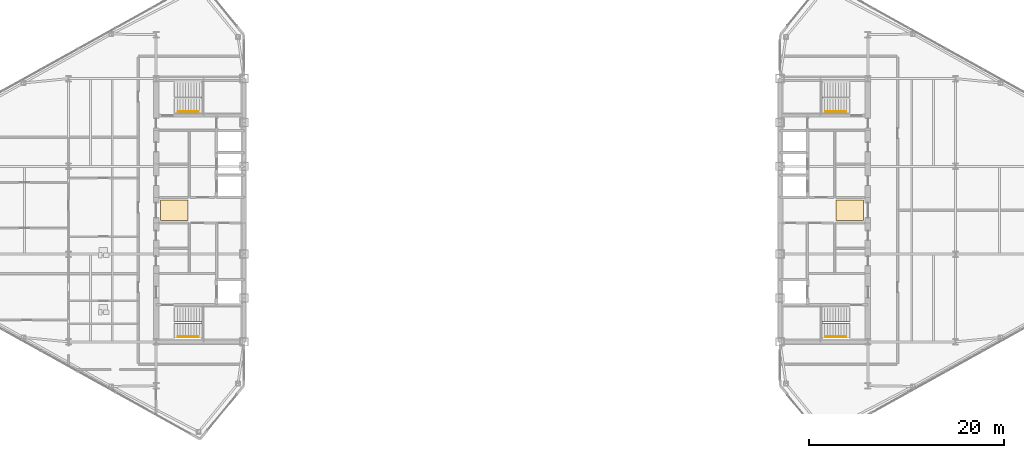
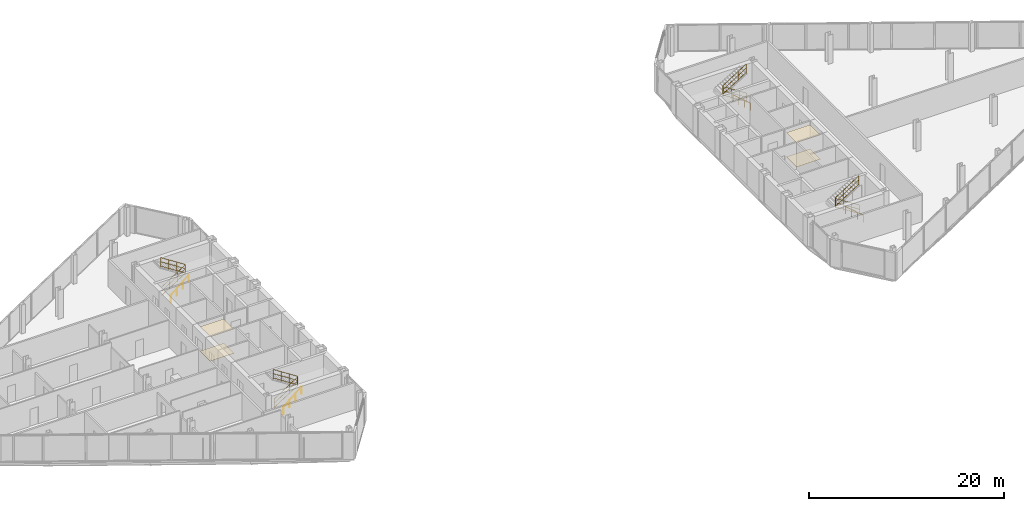
# One storey, part 25 of 26: 8 railings, 4 coverings.
"""IFC4 building model written with IfcOpenShell, lengths in metres."""

from ifc_helpers import new_model, si_unit, direction, frame, origin, origin_2d, place, context, subcontext, project, spatial, polyline, circle, outline, extrude, material, layer, layer_set, type_object, element, save


model = new_model("IFC4")

# Units and contexts
model_context = context("Model", 3, precision=1e-05, world=origin(), true_north=direction((0.0, 1.0)))
body_context = subcontext(model_context, "Body", "Model", "MODEL_VIEW")
ifc_project = project(units=[si_unit("LENGTHUNIT", "METRE"), si_unit("AREAUNIT", "SQUARE_METRE"), si_unit("VOLUMEUNIT", "CUBIC_METRE"), si_unit("PLANEANGLEUNIT", "RADIAN"), si_unit("MASSUNIT", "GRAM", prefix="KILO")], contexts=[model_context])

# Site, building, storey
site_placement = place(None, origin())
site = spatial("IfcSite", under=ifc_project, at=site_placement, CompositionType="ELEMENT")
building_placement = place(site_placement, origin())
building = spatial("IfcBuilding", under=site, at=building_placement, Name="Seokmaru Belvedere", CompositionType="ELEMENT")
storey_placement = place(building_placement, frame((0.0, 0.0, 177.89990234375)))
storey = spatial("IfcBuildingStorey", under=building, at=storey_placement, Name="L47", CompositionType="ELEMENT", Elevation=177.89990234375)

# Coverings
ifc_material_1 = material(Name="Engineered White Oak Timber", Category="wood")
ifc_layer_1 = layer(ifc_material_1, 0.02197265625)
ifc_layer_set_1 = layer_set([ifc_layer_1], Name="Engineered White Oak Timber")
covering_type_1 = type_object("IfcCoveringType", Name="Engineered Oak Residence Floor Finish 22", PredefinedType="FLOORING", material=ifc_layer_set_1)
covering_1_placement = place(storey_placement, origin())
element("IfcCovering", 1, at=covering_1_placement, inside=storey, type_object=covering_type_1, Name="L47 W Foyer Floor Finish", PredefinedType="FLOORING", context=body_context, shape_type="SweptSolid", body=[
    extrude(outline(polyline([(-36.050048828125, -1.050048828125), (-33.25, -1.050048828125), (-33.25, 1.050048828125), (-36.050048828125, 1.050048828125), (-36.050048828125, -1.050048828125)])), origin(), (0.0, 0.0, 1.0), 0.022216796875),
])
covering_2_placement = place(storey_placement, origin())
element("IfcCovering", 2, at=covering_2_placement, inside=storey, type_object=covering_type_1, Name="L47 E Foyer Floor Finish", PredefinedType="FLOORING", context=body_context, shape_type="SweptSolid", body=[
    extrude(outline(polyline([(33.25, -1.050048828125), (36.050048828125, -1.050048828125), (36.050048828125, 1.050048828125), (33.25, 1.050048828125), (33.25, -1.050048828125)])), origin(), (0.0, 0.0, 1.0), 0.022216796875),
])
ifc_material_2 = material(Name="Fire-Rated Gypsum Shaftwall")
ifc_layer_2 = layer(ifc_material_2, 0.02490234375)
ifc_layer_set_2 = layer_set([ifc_layer_2], Name="Fire-Rated Gypsum Shaftwall")
covering_type_2 = type_object("IfcCoveringType", Name="Perforated Acoustic Gypsum Suspended Ceiling 25", PredefinedType="CEILING", material=ifc_layer_set_2)
covering_3_placement = place(storey_placement, frame((0.0, 0.0, 3.030029296875)))
element("IfcCovering", 3, at=covering_3_placement, inside=storey, type_object=covering_type_2, Name="L47 W Lift Foyer Acoustic Ceiling", PredefinedType="CEILING", context=body_context, shape_type="SweptSolid", body=[
    extrude(outline(polyline([(-36.050048828125, -1.050048828125), (-33.25, -1.050048828125), (-33.25, 1.050048828125), (-36.050048828125, 1.050048828125), (-36.050048828125, -1.050048828125)])), origin(), (0.0, 0.0, 1.0), 0.025146484375),
])
covering_4_placement = place(storey_placement, frame((0.0, 0.0, 3.030029296875)))
element("IfcCovering", 4, at=covering_4_placement, inside=storey, type_object=covering_type_2, Name="L47 E Lift Foyer Acoustic Ceiling", PredefinedType="CEILING", context=body_context, shape_type="SweptSolid", body=[
    extrude(outline(polyline([(33.25, -1.050048828125), (36.050048828125, -1.050048828125), (36.050048828125, 1.050048828125), (33.25, 1.050048828125), (33.25, -1.050048828125)])), origin(), (0.0, 0.0, 1.0), 0.025146484375),
])

# Railings
ifc_material_3 = material(Name="Stainless Steel 316", Category="steel")
railing_type_1 = type_object("IfcRailingType", Name="Stainless Steel Wall and Flight Handrail 900", PredefinedType="HANDRAIL", material=ifc_material_3)
for number, where, name in (
    (5, (-34.25, -12.949951171875, 0.0), "L47 Stair ST-W1 Wall Handrail"),
    (6, (-34.25, 10.110107421875, 0.0), "L47 Stair ST-W2 Wall Handrail"),
):
    element("IfcRailing", number, at=place(storey_placement, frame(where)), inside=storey, type_object=railing_type_1, Name=name, PredefinedType="HANDRAIL", context=body_context, shape_type="SweptSolid", body=[
        extrude(circle(Radius=0.02392578125, at=origin_2d()), frame((0.0, 0.0, 0.8759765625), z_axis=(0.759262832861, 0.0, 0.650784104474), x_axis=(0.0, 1.0, 0.0)), (0.0, 0.0, 1.0), 2.765869140625),
        extrude(circle(Radius=0.02099609375, at=origin_2d()), origin(), (0.0, 0.0, 1.0), 0.851806640625),
        extrude(circle(Radius=0.02099609375, at=origin_2d()), frame((0.699951171875, 0.0, 0.60009765625)), (0.0, 0.0, 1.0), 0.851806640625),
        extrude(circle(Radius=0.02099609375, at=origin_2d()), frame((1.400146484375, 0.0, 1.199951171875)), (0.0, 0.0, 1.0), 0.851806640625),
        extrude(circle(Radius=0.02099609375, at=origin_2d()), frame((2.10009765625, 0.0, 1.800048828125)), (0.0, 0.0, 1.0), 0.851806640625),
    ])
for number, where, name in (
    (7, (34.25, -12.949951171875, 0.0), "L47 Stair ST-E1 Wall Handrail"),
    (8, (34.25, 10.110107421875, 0.0), "L47 Stair ST-E2 Wall Handrail"),
):
    element("IfcRailing", number, at=place(storey_placement, frame(where)), inside=storey, type_object=railing_type_1, Name=name, PredefinedType="HANDRAIL", context=body_context, shape_type="SweptSolid", body=[
        extrude(circle(Radius=0.02392578125, at=origin_2d()), frame((0.0, 0.0, 0.8759765625), z_axis=(-0.759262832861, 0.0, 0.650784104474), x_axis=(0.0, -1.0, 0.0)), (0.0, 0.0, 1.0), 2.765869140625),
        extrude(circle(Radius=0.02099609375, at=origin_2d()), origin(), (0.0, 0.0, 1.0), 0.851806640625),
        extrude(circle(Radius=0.02099609375, at=origin_2d()), frame((-0.699951171875, 0.0, 0.60009765625)), (0.0, 0.0, 1.0), 0.851806640625),
        extrude(circle(Radius=0.02099609375, at=origin_2d()), frame((-1.400146484375, 0.0, 1.199951171875)), (0.0, 0.0, 1.0), 0.851806640625),
        extrude(circle(Radius=0.02099609375, at=origin_2d()), frame((-2.10009765625, 0.0, 1.800048828125)), (0.0, 0.0, 1.0), 0.851806640625),
    ])
railing_type_2 = type_object("IfcRailingType", Name="Stair Well and Atrium Steel Guardrail 1200", PredefinedType="GUARDRAIL", material=ifc_material_3)
railing_1_placement = place(storey_placement, frame((-34.60009765625, -11.60009765625, 0.0)))
element("IfcRailing", 9, at=railing_1_placement, inside=storey, type_object=railing_type_2, Name="L47 Stair ST-W1 Inner Well Guardrail", PredefinedType="GUARDRAIL", context=body_context, shape_type="SweptSolid", body=[
    extrude(circle(Radius=0.02392578125, at=origin_2d()), frame((0.0, 0.0, 1.17578125), z_axis=(0.841176092368, 0.0, 0.540761298198), x_axis=(0.0, 1.0, 0.0)), (0.0, 0.0, 1.0), 3.32861328125),
    extrude(circle(Radius=0.02392578125, at=origin_2d()), frame((0.0, 0.0, 0.1201171875), z_axis=(0.841176092368, 0.0, 0.540761298198), x_axis=(0.0, 1.0, 0.0)), (0.0, 0.0, 1.0), 3.32861328125),
    extrude(circle(Radius=0.02392578125, at=origin_2d()), frame((0.0, 0.0, 0.659912109375), z_axis=(0.841176092368, 0.0, 0.540761298198), x_axis=(0.0, 1.0, 0.0)), (0.0, 0.0, 1.0), 3.32861328125),
    extrude(circle(Radius=0.02392578125, at=origin_2d()), frame((2.800048828125, 0.0, 2.97607421875), z_axis=(0.0, 1.0, 0.0), x_axis=(-1.0, 0.0, 0.0)), (0.0, 0.0, 1.0), 0.14013671875),
    extrude(circle(Radius=0.02392578125, at=origin_2d()), frame((2.800048828125, 0.0, 1.920166015625), z_axis=(0.0, 1.0, 0.0), x_axis=(-1.0, 0.0, 0.0)), (0.0, 0.0, 1.0), 0.14013671875),
    extrude(circle(Radius=0.02392578125, at=origin_2d()), frame((2.800048828125, 0.0, 2.4599609375), z_axis=(0.0, 1.0, 0.0), x_axis=(-1.0, 0.0, 0.0)), (0.0, 0.0, 1.0), 0.14013671875),
    extrude(circle(Radius=0.02392578125, at=origin_2d()), frame((2.800048828125, 0.14013671875, 2.97607421875), z_axis=(-0.841176092368, 0.0, 0.540761298198), x_axis=(0.0, -1.0, 0.0)), (0.0, 0.0, 1.0), 3.32861328125),
    extrude(circle(Radius=0.02392578125, at=origin_2d()), frame((2.800048828125, 0.14013671875, 1.920166015625), z_axis=(-0.841176092368, 0.0, 0.540761298198), x_axis=(0.0, -1.0, 0.0)), (0.0, 0.0, 1.0), 3.32861328125),
    extrude(circle(Radius=0.02392578125, at=origin_2d()), frame((2.800048828125, 0.14013671875, 2.4599609375), z_axis=(-0.841176092368, 0.0, 0.540761298198), x_axis=(0.0, -1.0, 0.0)), (0.0, 0.0, 1.0), 3.32861328125),
    extrude(circle(Radius=0.02099609375, at=origin_2d()), origin(), (0.0, 0.0, 1.0), 1.15185546875),
    extrude(circle(Radius=0.02099609375, at=origin_2d()), frame((0.933349609375, 0.0, 0.60009765625)), (0.0, 0.0, 1.0), 1.15185546875),
    extrude(circle(Radius=0.02099609375, at=origin_2d()), frame((1.86669921875, 0.0, 1.199951171875)), (0.0, 0.0, 1.0), 1.15185546875),
    extrude(circle(Radius=0.02099609375, at=origin_2d()), frame((2.800048828125, 0.0, 1.800048828125)), (0.0, 0.0, 1.0), 1.15185546875),
    extrude(circle(Radius=0.02099609375, at=origin_2d()), frame((2.800048828125, 0.14013671875, 1.800048828125)), (0.0, 0.0, 1.0), 1.15185546875),
    extrude(circle(Radius=0.02099609375, at=origin_2d()), frame((1.86669921875, 0.14013671875, 2.400146484375)), (0.0, 0.0, 1.0), 1.15185546875),
    extrude(circle(Radius=0.02099609375, at=origin_2d()), frame((0.933349609375, 0.14013671875, 3.0)), (0.0, 0.0, 1.0), 1.15185546875),
    extrude(circle(Radius=0.02099609375, at=origin_2d()), frame((0.0, 0.14013671875, 3.60009765625)), (0.0, 0.0, 1.0), 1.15185546875),
])
railing_2_placement = place(storey_placement, frame((-34.60009765625, 11.4599609375, 0.0)))
element("IfcRailing", 10, at=railing_2_placement, inside=storey, type_object=railing_type_2, Name="L47 Stair ST-W2 Inner Well Guardrail", PredefinedType="GUARDRAIL", context=body_context, shape_type="SweptSolid", body=[
    extrude(circle(Radius=0.02392578125, at=origin_2d()), frame((0.0, 0.0, 1.17578125), z_axis=(0.841176092368, 0.0, 0.540761298198), x_axis=(0.0, 1.0, 0.0)), (0.0, 0.0, 1.0), 3.32861328125),
    extrude(circle(Radius=0.02392578125, at=origin_2d()), frame((0.0, 0.0, 0.1201171875), z_axis=(0.841176092368, 0.0, 0.540761298198), x_axis=(0.0, 1.0, 0.0)), (0.0, 0.0, 1.0), 3.32861328125),
    extrude(circle(Radius=0.02392578125, at=origin_2d()), frame((0.0, 0.0, 0.659912109375), z_axis=(0.841176092368, 0.0, 0.540761298198), x_axis=(0.0, 1.0, 0.0)), (0.0, 0.0, 1.0), 3.32861328125),
    extrude(circle(Radius=0.02392578125, at=origin_2d()), frame((2.800048828125, 0.0, 2.97607421875), z_axis=(0.0, 1.0, 0.0), x_axis=(-1.0, 0.0, 0.0)), (0.0, 0.0, 1.0), 0.14013671875),
    extrude(circle(Radius=0.02392578125, at=origin_2d()), frame((2.800048828125, 0.0, 1.920166015625), z_axis=(0.0, 1.0, 0.0), x_axis=(-1.0, 0.0, 0.0)), (0.0, 0.0, 1.0), 0.14013671875),
    extrude(circle(Radius=0.02392578125, at=origin_2d()), frame((2.800048828125, 0.0, 2.4599609375), z_axis=(0.0, 1.0, 0.0), x_axis=(-1.0, 0.0, 0.0)), (0.0, 0.0, 1.0), 0.14013671875),
    extrude(circle(Radius=0.02392578125, at=origin_2d()), frame((2.800048828125, 0.14013671875, 2.97607421875), z_axis=(-0.841176092368, 0.0, 0.540761298198), x_axis=(0.0, -1.0, 0.0)), (0.0, 0.0, 1.0), 3.32861328125),
    extrude(circle(Radius=0.02392578125, at=origin_2d()), frame((2.800048828125, 0.14013671875, 1.920166015625), z_axis=(-0.841176092368, 0.0, 0.540761298198), x_axis=(0.0, -1.0, 0.0)), (0.0, 0.0, 1.0), 3.32861328125),
    extrude(circle(Radius=0.02392578125, at=origin_2d()), frame((2.800048828125, 0.14013671875, 2.4599609375), z_axis=(-0.841176092368, 0.0, 0.540761298198), x_axis=(0.0, -1.0, 0.0)), (0.0, 0.0, 1.0), 3.32861328125),
    extrude(circle(Radius=0.02099609375, at=origin_2d()), origin(), (0.0, 0.0, 1.0), 1.15185546875),
    extrude(circle(Radius=0.02099609375, at=origin_2d()), frame((0.933349609375, 0.0, 0.60009765625)), (0.0, 0.0, 1.0), 1.15185546875),
    extrude(circle(Radius=0.02099609375, at=origin_2d()), frame((1.86669921875, 0.0, 1.199951171875)), (0.0, 0.0, 1.0), 1.15185546875),
    extrude(circle(Radius=0.02099609375, at=origin_2d()), frame((2.800048828125, 0.0, 1.800048828125)), (0.0, 0.0, 1.0), 1.15185546875),
    extrude(circle(Radius=0.02099609375, at=origin_2d()), frame((2.800048828125, 0.14013671875, 1.800048828125)), (0.0, 0.0, 1.0), 1.15185546875),
    extrude(circle(Radius=0.02099609375, at=origin_2d()), frame((1.86669921875, 0.14013671875, 2.400146484375)), (0.0, 0.0, 1.0), 1.15185546875),
    extrude(circle(Radius=0.02099609375, at=origin_2d()), frame((0.933349609375, 0.14013671875, 3.0)), (0.0, 0.0, 1.0), 1.15185546875),
    extrude(circle(Radius=0.02099609375, at=origin_2d()), frame((0.0, 0.14013671875, 3.60009765625)), (0.0, 0.0, 1.0), 1.15185546875),
])
railing_3_placement = place(storey_placement, frame((34.60009765625, -11.60009765625, 0.0)))
element("IfcRailing", 11, at=railing_3_placement, inside=storey, type_object=railing_type_2, Name="L47 Stair ST-E1 Inner Well Guardrail", PredefinedType="GUARDRAIL", context=body_context, shape_type="SweptSolid", body=[
    extrude(circle(Radius=0.02392578125, at=origin_2d()), frame((0.0, 0.0, 1.17578125), z_axis=(-0.841176092368, 0.0, 0.540761298198), x_axis=(0.0, -1.0, 0.0)), (0.0, 0.0, 1.0), 3.32861328125),
    extrude(circle(Radius=0.02392578125, at=origin_2d()), frame((0.0, 0.0, 0.1201171875), z_axis=(-0.841176092368, 0.0, 0.540761298198), x_axis=(0.0, -1.0, 0.0)), (0.0, 0.0, 1.0), 3.32861328125),
    extrude(circle(Radius=0.02392578125, at=origin_2d()), frame((0.0, 0.0, 0.659912109375), z_axis=(-0.841176092368, 0.0, 0.540761298198), x_axis=(0.0, -1.0, 0.0)), (0.0, 0.0, 1.0), 3.32861328125),
    extrude(circle(Radius=0.02392578125, at=origin_2d()), frame((-2.800048828125, 0.0, 2.97607421875), z_axis=(0.0, 1.0, 0.0), x_axis=(-1.0, 0.0, 0.0)), (0.0, 0.0, 1.0), 0.14013671875),
    extrude(circle(Radius=0.02392578125, at=origin_2d()), frame((-2.800048828125, 0.0, 1.920166015625), z_axis=(0.0, 1.0, 0.0), x_axis=(-1.0, 0.0, 0.0)), (0.0, 0.0, 1.0), 0.14013671875),
    extrude(circle(Radius=0.02392578125, at=origin_2d()), frame((-2.800048828125, 0.0, 2.4599609375), z_axis=(0.0, 1.0, 0.0), x_axis=(-1.0, 0.0, 0.0)), (0.0, 0.0, 1.0), 0.14013671875),
    extrude(circle(Radius=0.02392578125, at=origin_2d()), frame((-2.800048828125, 0.14013671875, 2.97607421875), z_axis=(0.841176092368, 0.0, 0.540761298198), x_axis=(0.0, 1.0, 0.0)), (0.0, 0.0, 1.0), 3.32861328125),
    extrude(circle(Radius=0.02392578125, at=origin_2d()), frame((-2.800048828125, 0.14013671875, 1.920166015625), z_axis=(0.841176092368, 0.0, 0.540761298198), x_axis=(0.0, 1.0, 0.0)), (0.0, 0.0, 1.0), 3.32861328125),
    extrude(circle(Radius=0.02392578125, at=origin_2d()), frame((-2.800048828125, 0.14013671875, 2.4599609375), z_axis=(0.841176092368, 0.0, 0.540761298198), x_axis=(0.0, 1.0, 0.0)), (0.0, 0.0, 1.0), 3.32861328125),
    extrude(circle(Radius=0.02099609375, at=origin_2d()), origin(), (0.0, 0.0, 1.0), 1.15185546875),
    extrude(circle(Radius=0.02099609375, at=origin_2d()), frame((-0.933349609375, 0.0, 0.60009765625)), (0.0, 0.0, 1.0), 1.15185546875),
    extrude(circle(Radius=0.02099609375, at=origin_2d()), frame((-1.86669921875, 0.0, 1.199951171875)), (0.0, 0.0, 1.0), 1.15185546875),
    extrude(circle(Radius=0.02099609375, at=origin_2d()), frame((-2.800048828125, 0.0, 1.800048828125)), (0.0, 0.0, 1.0), 1.15185546875),
    extrude(circle(Radius=0.02099609375, at=origin_2d()), frame((-2.800048828125, 0.14013671875, 1.800048828125)), (0.0, 0.0, 1.0), 1.15185546875),
    extrude(circle(Radius=0.02099609375, at=origin_2d()), frame((-1.86669921875, 0.14013671875, 2.400146484375)), (0.0, 0.0, 1.0), 1.15185546875),
    extrude(circle(Radius=0.02099609375, at=origin_2d()), frame((-0.933349609375, 0.14013671875, 3.0)), (0.0, 0.0, 1.0), 1.15185546875),
    extrude(circle(Radius=0.02099609375, at=origin_2d()), frame((0.0, 0.14013671875, 3.60009765625)), (0.0, 0.0, 1.0), 1.15185546875),
])
railing_4_placement = place(storey_placement, frame((34.60009765625, 11.4599609375, 0.0)))
element("IfcRailing", 12, at=railing_4_placement, inside=storey, type_object=railing_type_2, Name="L47 Stair ST-E2 Inner Well Guardrail", PredefinedType="GUARDRAIL", context=body_context, shape_type="SweptSolid", body=[
    extrude(circle(Radius=0.02392578125, at=origin_2d()), frame((0.0, 0.0, 1.17578125), z_axis=(-0.841176092368, 0.0, 0.540761298198), x_axis=(0.0, -1.0, 0.0)), (0.0, 0.0, 1.0), 3.32861328125),
    extrude(circle(Radius=0.02392578125, at=origin_2d()), frame((0.0, 0.0, 0.1201171875), z_axis=(-0.841176092368, 0.0, 0.540761298198), x_axis=(0.0, -1.0, 0.0)), (0.0, 0.0, 1.0), 3.32861328125),
    extrude(circle(Radius=0.02392578125, at=origin_2d()), frame((0.0, 0.0, 0.659912109375), z_axis=(-0.841176092368, 0.0, 0.540761298198), x_axis=(0.0, -1.0, 0.0)), (0.0, 0.0, 1.0), 3.32861328125),
    extrude(circle(Radius=0.02392578125, at=origin_2d()), frame((-2.800048828125, 0.0, 2.97607421875), z_axis=(0.0, 1.0, 0.0), x_axis=(-1.0, 0.0, 0.0)), (0.0, 0.0, 1.0), 0.14013671875),
    extrude(circle(Radius=0.02392578125, at=origin_2d()), frame((-2.800048828125, 0.0, 1.920166015625), z_axis=(0.0, 1.0, 0.0), x_axis=(-1.0, 0.0, 0.0)), (0.0, 0.0, 1.0), 0.14013671875),
    extrude(circle(Radius=0.02392578125, at=origin_2d()), frame((-2.800048828125, 0.0, 2.4599609375), z_axis=(0.0, 1.0, 0.0), x_axis=(-1.0, 0.0, 0.0)), (0.0, 0.0, 1.0), 0.14013671875),
    extrude(circle(Radius=0.02392578125, at=origin_2d()), frame((-2.800048828125, 0.14013671875, 2.97607421875), z_axis=(0.841176092368, 0.0, 0.540761298198), x_axis=(0.0, 1.0, 0.0)), (0.0, 0.0, 1.0), 3.32861328125),
    extrude(circle(Radius=0.02392578125, at=origin_2d()), frame((-2.800048828125, 0.14013671875, 1.920166015625), z_axis=(0.841176092368, 0.0, 0.540761298198), x_axis=(0.0, 1.0, 0.0)), (0.0, 0.0, 1.0), 3.32861328125),
    extrude(circle(Radius=0.02392578125, at=origin_2d()), frame((-2.800048828125, 0.14013671875, 2.4599609375), z_axis=(0.841176092368, 0.0, 0.540761298198), x_axis=(0.0, 1.0, 0.0)), (0.0, 0.0, 1.0), 3.32861328125),
    extrude(circle(Radius=0.02099609375, at=origin_2d()), origin(), (0.0, 0.0, 1.0), 1.15185546875),
    extrude(circle(Radius=0.02099609375, at=origin_2d()), frame((-0.933349609375, 0.0, 0.60009765625)), (0.0, 0.0, 1.0), 1.15185546875),
    extrude(circle(Radius=0.02099609375, at=origin_2d()), frame((-1.86669921875, 0.0, 1.199951171875)), (0.0, 0.0, 1.0), 1.15185546875),
    extrude(circle(Radius=0.02099609375, at=origin_2d()), frame((-2.800048828125, 0.0, 1.800048828125)), (0.0, 0.0, 1.0), 1.15185546875),
    extrude(circle(Radius=0.02099609375, at=origin_2d()), frame((-2.800048828125, 0.14013671875, 1.800048828125)), (0.0, 0.0, 1.0), 1.15185546875),
    extrude(circle(Radius=0.02099609375, at=origin_2d()), frame((-1.86669921875, 0.14013671875, 2.400146484375)), (0.0, 0.0, 1.0), 1.15185546875),
    extrude(circle(Radius=0.02099609375, at=origin_2d()), frame((-0.933349609375, 0.14013671875, 3.0)), (0.0, 0.0, 1.0), 1.15185546875),
    extrude(circle(Radius=0.02099609375, at=origin_2d()), frame((0.0, 0.14013671875, 3.60009765625)), (0.0, 0.0, 1.0), 1.15185546875),
])

save(model, "model.ifc")
